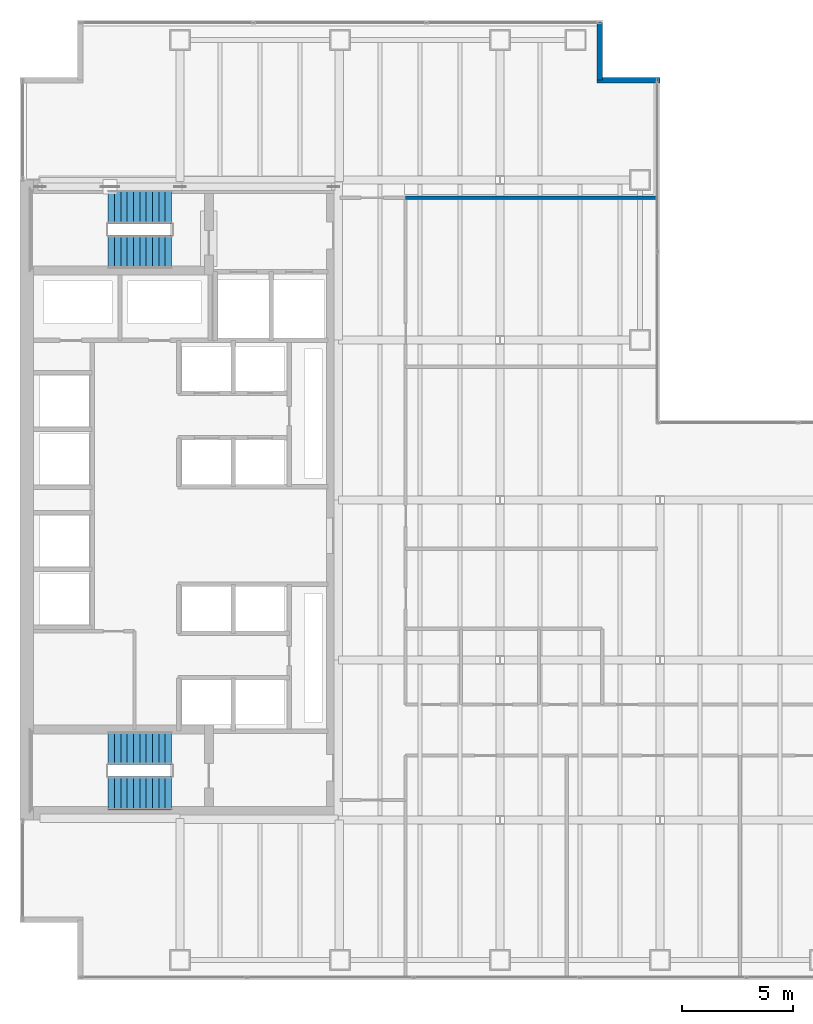
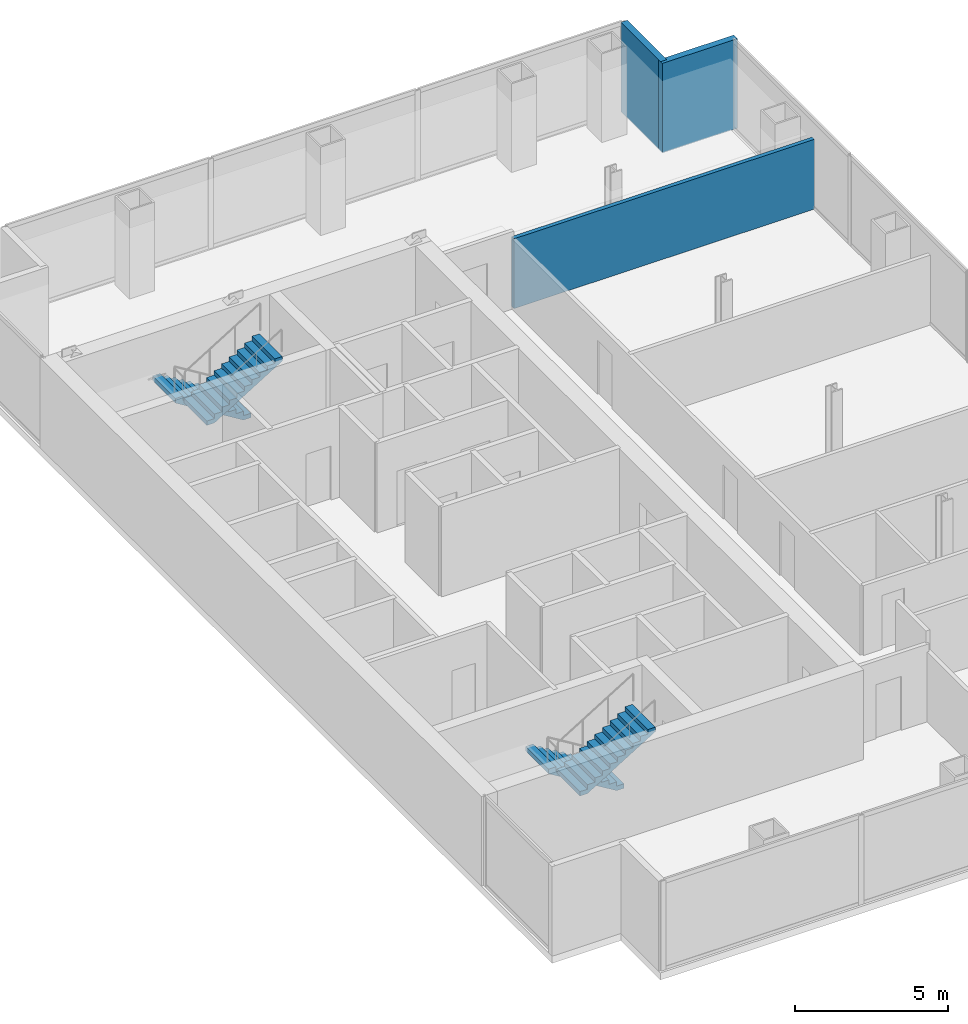
# One storey, part 22 of 24: 4 stair flights, 3 walls, 2 elements without a shape of their own.
"""IFC4 building model written with IfcOpenShell, lengths in metres."""

from ifc_helpers import new_model, si_unit, direction, frame, frame_2d, origin, place, context, subcontext, project, spatial, polyline, rectangle, outline, extrude, material, layer, layer_set, type_object, element, aggregate, save


model = new_model("IFC4")

# Units and contexts
model_context = context("Model", 3, precision=1e-05, world=origin(), true_north=direction((0.0, 1.0)))
body_context = subcontext(model_context, "Body", "Model", "MODEL_VIEW")
ifc_project = project(units=[si_unit("LENGTHUNIT", "METRE"), si_unit("AREAUNIT", "SQUARE_METRE"), si_unit("VOLUMEUNIT", "CUBIC_METRE"), si_unit("PLANEANGLEUNIT", "RADIAN"), si_unit("MASSUNIT", "GRAM", prefix="KILO")], contexts=[model_context])

# Site, building, storey
site_placement = place(None, origin())
site = spatial("IfcSite", under=ifc_project, at=site_placement, CompositionType="ELEMENT")
building_placement = place(site_placement, origin())
building = spatial("IfcBuilding", under=site, at=building_placement, Name="Cobrela Telecom Tower", CompositionType="ELEMENT")
storey_placement = place(building_placement, frame((0.0, 0.0, 85.050048828125)))
storey = spatial("IfcBuildingStorey", under=building, at=storey_placement, Name="L21", CompositionType="ELEMENT", Elevation=85.050048828125)

# Walls
ifc_material_1 = material(Name="Concrete C40/50", Category="concrete")
ifc_layer_1 = layer(ifc_material_1, 0.239990234375)
ifc_layer_set_1 = layer_set([ifc_layer_1], Name="Concrete C40/50")
wall_type_1 = type_object("IfcWallType", Name="WALL-EXT-300", PredefinedType="STANDARD", material=ifc_layer_set_1)
wall_1_placement = place(storey_placement, frame((26.090087890625, 43.080078125, 0.0), z_axis=(0.0, 0.0, 1.0), x_axis=(0.0, -1.0, 0.0)))
element("IfcWall", 1, at=wall_1_placement, inside=storey, type_object=wall_type_1, Name="L21 Insulated Facade Wall 08", PredefinedType="STANDARD", context=body_context, shape_type="SweptSolid", body=[
    extrude(rectangle(XDim=2.590087890625, YDim=0.239990234375, at=frame_2d((1.294921875, 0.0))), origin(), (0.0, 0.0, 1.0), 3.570068359375),
])
wall_2_placement = place(storey_placement, frame((25.969970703125, 40.489990234375, 0.0), z_axis=(0.0, 0.0, 1.0), x_axis=(1.0, 0.0, 0.0)))
element("IfcWall", 2, at=wall_2_placement, inside=storey, type_object=wall_type_1, Name="L21 Insulated Facade Wall 09", PredefinedType="STANDARD", context=body_context, shape_type="SweptSolid", body=[
    extrude(rectangle(XDim=2.830078125, YDim=0.239990234375, at=frame_2d((1.4150390625, 0.0))), origin(), (0.0, 0.0, 1.0), 3.570068359375),
])
ifc_material_2 = material(Name="Fire-Rated Gypsum Plasterboard")
ifc_layer_2 = layer(ifc_material_2, 0.14990234375)
ifc_layer_set_2 = layer_set([ifc_layer_2], Name="Fire-Rated Gypsum Plasterboard")
wall_type_2 = type_object("IfcWallType", Name="WALL-PART-150", PredefinedType="PARTITIONING", material=ifc_layer_set_2)
wall_3_placement = place(storey_placement, frame((17.35009765625, 35.199951171875, 0.0), z_axis=(0.0, 0.0, 1.0), x_axis=(1.0, 0.0, 0.0)))
element("IfcWall", 3, at=wall_3_placement, inside=storey, type_object=wall_type_2, Name="L21 Interior Partition W-NW-S", PredefinedType="PARTITIONING", context=body_context, shape_type="SweptSolid", body=[
    extrude(rectangle(XDim=11.329833984375, YDim=0.14990234375, at=frame_2d((5.6650390625, 0.0))), origin(), (0.0, 0.0, 1.0), 2.782958984375),
])

# Stair, stair flights
stair_type = type_object("IfcStairType", Name="STAIR-CORE", PredefinedType="HALF_TURN_STAIR", material=ifc_material_1)
stair_1_placement = place(storey_placement, origin())
stair_1 = element("IfcStair", 4, at=stair_1_placement, inside=storey, type_object=stair_type, Name="L21 Smokeproof Exit Stair ST1", PredefinedType="HALF_TURN_STAIR")
stair_flight_type = type_object("IfcStairFlightType", Name="FLIGHT-CORE", PredefinedType="STRAIGHT", material=ifc_material_1)
stair_flight_1_placement = place(storey_placement, frame((6.820068359375, 34.800048828125, 0.0), z_axis=(0.0, 0.0, 1.0), x_axis=(-1.0, 0.0, 0.0)))
stair_flight_1 = element("IfcStairFlight", 5, at=stair_flight_1_placement, type_object=stair_flight_type, Name="ST1 flight 1", NumberOfRisers=11, NumberOfTreads=10, PredefinedType="STRAIGHT", RiserHeight=0.175, TreadLength=0.285, context=body_context, shape_type="SweptSolid", body=[
    extrude(outline(polyline([(0.0, 0.0), (0.0, 0.175048828125), (0.284912109375, 0.175048828125), (0.284912109375, 0.35009765625), (0.570068359375, 0.35009765625), (0.570068359375, 0.52490234375), (0.85498046875, 0.52490234375), (0.85498046875, 0.699951171875), (1.139892578125, 0.699951171875), (1.139892578125, 0.875), (1.425048828125, 0.875), (1.425048828125, 1.050048828125), (1.7099609375, 1.050048828125), (1.7099609375, 1.22509765625), (1.9951171875, 1.22509765625), (1.9951171875, 1.39990234375), (2.280029296875, 1.39990234375), (2.280029296875, 1.574951171875), (2.56494140625, 1.574951171875), (2.56494140625, 1.75), (2.85009765625, 1.75), (2.85009765625, 1.925048828125), (2.85009765625, 1.573974609375), (0.286376953125, 0.0), (0.0, 0.0)])), frame((0.0, 0.75, 0.0), z_axis=(0.0, -1.0, 0.0), x_axis=(1.0, 0.0, 0.0)), (0.0, 0.0, 1.0), 1.5),
])
stair_flight_2_placement = place(storey_placement, frame((3.969970703125, 32.75, 1.925048828125), z_axis=(0.0, 0.0, 1.0), x_axis=(1.0, 0.0, 0.0)))
stair_flight_2 = element("IfcStairFlight", 6, at=stair_flight_2_placement, type_object=stair_flight_type, Name="ST1 flight 2", NumberOfRisers=11, NumberOfTreads=10, PredefinedType="STRAIGHT", RiserHeight=0.175, TreadLength=0.285, context=body_context, shape_type="SweptSolid", body=[
    extrude(outline(polyline([(0.0, 0.0), (0.0, 0.175048828125), (0.284912109375, 0.175048828125), (0.284912109375, 0.35009765625), (0.570068359375, 0.35009765625), (0.570068359375, 0.52490234375), (0.85498046875, 0.52490234375), (0.85498046875, 0.699951171875), (1.139892578125, 0.699951171875), (1.139892578125, 0.875), (1.425048828125, 0.875), (1.425048828125, 1.050048828125), (1.7099609375, 1.050048828125), (1.7099609375, 1.22509765625), (1.9951171875, 1.22509765625), (1.9951171875, 1.39990234375), (2.280029296875, 1.39990234375), (2.280029296875, 1.574951171875), (2.56494140625, 1.574951171875), (2.56494140625, 1.75), (2.85009765625, 1.75), (2.85009765625, 1.925048828125), (2.85009765625, 1.573974609375), (0.286376953125, 0.0), (0.0, 0.0)])), frame((0.0, 0.75, 0.0), z_axis=(0.0, -1.0, 0.0), x_axis=(1.0, 0.0, 0.0)), (0.0, 0.0, 1.0), 1.5),
])
aggregate(stair_1, [stair_flight_1, stair_flight_2])

stair_2_placement = place(storey_placement, origin())
stair_2 = element("IfcStair", 7, at=stair_2_placement, inside=storey, type_object=stair_type, Name="L21 Smokeproof Exit Stair ST2", PredefinedType="HALF_TURN_STAIR")
stair_flight_3_placement = place(storey_placement, frame((6.820068359375, 10.449951171875, 0.0), z_axis=(0.0, 0.0, 1.0), x_axis=(-1.0, 0.0, 0.0)))
stair_flight_3 = element("IfcStairFlight", 8, at=stair_flight_3_placement, type_object=stair_flight_type, Name="ST2 flight 1", NumberOfRisers=11, NumberOfTreads=10, PredefinedType="STRAIGHT", RiserHeight=0.175, TreadLength=0.285, context=body_context, shape_type="SweptSolid", body=[
    extrude(outline(polyline([(0.0, 0.0), (0.0, 0.175048828125), (0.284912109375, 0.175048828125), (0.284912109375, 0.35009765625), (0.570068359375, 0.35009765625), (0.570068359375, 0.52490234375), (0.85498046875, 0.52490234375), (0.85498046875, 0.699951171875), (1.139892578125, 0.699951171875), (1.139892578125, 0.875), (1.425048828125, 0.875), (1.425048828125, 1.050048828125), (1.7099609375, 1.050048828125), (1.7099609375, 1.22509765625), (1.9951171875, 1.22509765625), (1.9951171875, 1.39990234375), (2.280029296875, 1.39990234375), (2.280029296875, 1.574951171875), (2.56494140625, 1.574951171875), (2.56494140625, 1.75), (2.85009765625, 1.75), (2.85009765625, 1.925048828125), (2.85009765625, 1.573974609375), (0.286376953125, 0.0), (0.0, 0.0)])), frame((0.0, 0.75, 0.0), z_axis=(0.0, -1.0, 0.0), x_axis=(1.0, 0.0, 0.0)), (0.0, 0.0, 1.0), 1.5),
])
stair_flight_4_placement = place(storey_placement, frame((3.969970703125, 8.39990234375, 1.925048828125), z_axis=(0.0, 0.0, 1.0), x_axis=(1.0, 0.0, 0.0)))
stair_flight_4 = element("IfcStairFlight", 9, at=stair_flight_4_placement, type_object=stair_flight_type, Name="ST2 flight 2", NumberOfRisers=11, NumberOfTreads=10, PredefinedType="STRAIGHT", RiserHeight=0.175, TreadLength=0.285, context=body_context, shape_type="SweptSolid", body=[
    extrude(outline(polyline([(0.0, 0.0), (0.0, 0.175048828125), (0.284912109375, 0.175048828125), (0.284912109375, 0.35009765625), (0.570068359375, 0.35009765625), (0.570068359375, 0.52490234375), (0.85498046875, 0.52490234375), (0.85498046875, 0.699951171875), (1.139892578125, 0.699951171875), (1.139892578125, 0.875), (1.425048828125, 0.875), (1.425048828125, 1.050048828125), (1.7099609375, 1.050048828125), (1.7099609375, 1.22509765625), (1.9951171875, 1.22509765625), (1.9951171875, 1.39990234375), (2.280029296875, 1.39990234375), (2.280029296875, 1.574951171875), (2.56494140625, 1.574951171875), (2.56494140625, 1.75), (2.85009765625, 1.75), (2.85009765625, 1.925048828125), (2.85009765625, 1.573974609375), (0.286376953125, 0.0), (0.0, 0.0)])), frame((0.0, 0.75, 0.0), z_axis=(0.0, -1.0, 0.0), x_axis=(1.0, 0.0, 0.0)), (0.0, 0.0, 1.0), 1.5),
])
aggregate(stair_2, [stair_flight_3, stair_flight_4])

save(model, "model.ifc")
